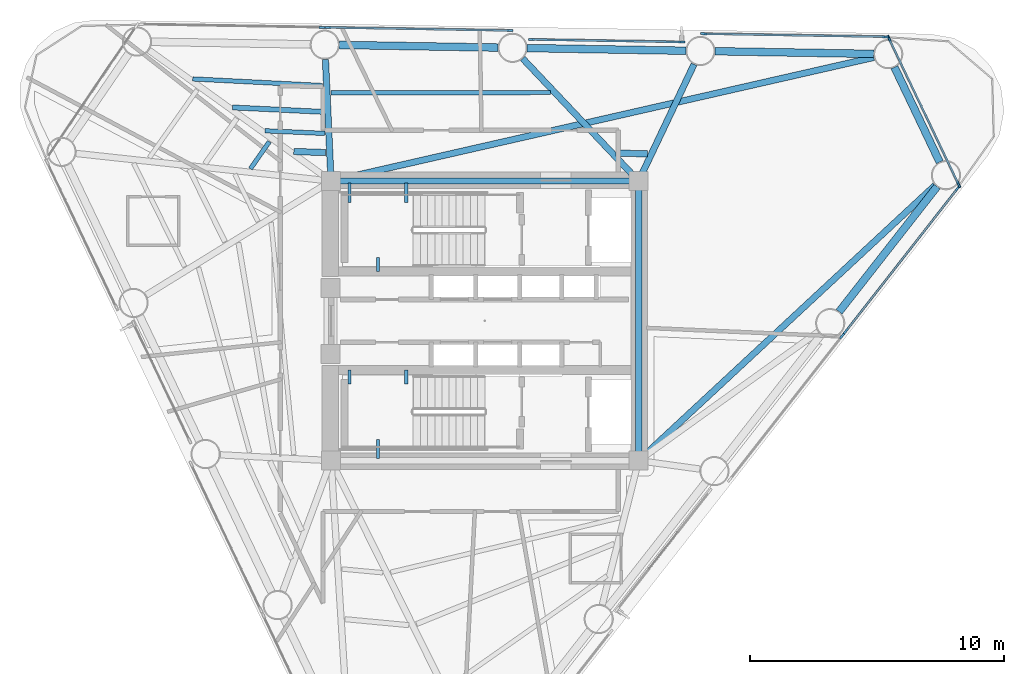
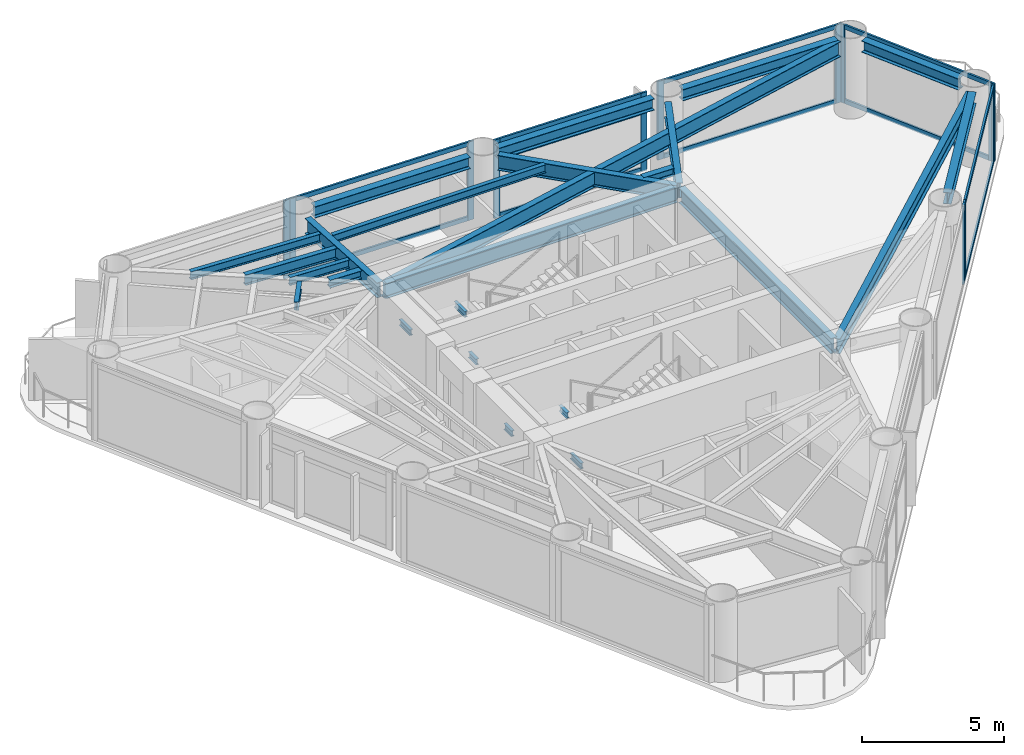
# One storey, part 3 of 10: 25 beams, 23 members, 7 elements without a shape of their own.
"""IFC4 building model written with IfcOpenShell, lengths in metres."""

from ifc_helpers import new_model, si_unit, direction, frame, origin, origin_2d, place, context, subcontext, project, spatial, rectangle, i_section, extrude, source, transform, mapped, material, layer, layer_set, material_profile, profile_set, type_object, element, aggregate, save


model = new_model("IFC4")

# Units and contexts
model_context = context("Model", 3, precision=1e-05, world=origin(), true_north=direction((0.0, 1.0)))
body_context = subcontext(model_context, "Body", "Model", "MODEL_VIEW")
ifc_project = project(units=[si_unit("LENGTHUNIT", "METRE"), si_unit("AREAUNIT", "SQUARE_METRE"), si_unit("VOLUMEUNIT", "CUBIC_METRE"), si_unit("PLANEANGLEUNIT", "RADIAN"), si_unit("MASSUNIT", "GRAM", prefix="KILO")], contexts=[model_context])

# Site, building, storey
site_placement = place(None, origin())
site = spatial("IfcSite", under=ifc_project, at=site_placement, CompositionType="ELEMENT")
building_placement = place(site_placement, origin())
building = spatial("IfcBuilding", under=site, at=building_placement, Name="Yunling Apex Tower", CompositionType="ELEMENT")
storey_placement = place(building_placement, frame((0.0, 0.0, 191.449951171875)))
storey = spatial("IfcBuildingStorey", under=building, at=storey_placement, Name="L46", CompositionType="ELEMENT", Elevation=191.449951171875)

# Beams
ifc_material_1 = material(Name="Steel Q355B", Category="steel")
ifc_material_profile_1 = material_profile(ifc_material_1, i_section(OverallWidth=0.125, OverallDepth=0.25, WebThickness=0.006103515625, FlangeThickness=0.009033203125, FilletRadius=0.011962890625, at=origin_2d()))
ifc_profile_set_1 = profile_set([ifc_material_profile_1], Name="Steel Q355B")
beam_type_1 = type_object("IfcBeamType", Name="BL-LNT-1", PredefinedType="LINTEL", material=ifc_profile_set_1)
shared_shape_1 = source(origin(), body_context, "Body", "SweptSolid", [
    extrude(i_section(OverallWidth=0.125, OverallDepth=0.25, WebThickness=0.006103515625, FlangeThickness=0.009033203125, FilletRadius=0.011962890625, at=origin_2d()), origin(), (0.0, 0.0, 1.0), 0.760009765625),
])
for number, where, z_axis, x_axis, name in (
    (1, (-5.320068359375, 5.419921875, 1.405029296875), (0.0, -1.0, 0.0), (1.0, 0.0, 0.0), "L46 ST-1 Landing Bearing Corbel 1-1"),
    (2, (-3.090087890625, 5.419921875, 1.405029296875), (0.0, -1.0, 0.0), (1.0, 0.0, 0.0), "L46 ST-1 Landing Bearing Corbel 1-2"),
    (3, (-4.205078125, -5.419921875, 1.405029296875), (0.0, 1.0, 0.0), (-1.0, 0.0, 0.0), "L46 ST-2 Landing Bearing Corbel 1-3"),
):
    element("IfcBeam", number, at=place(storey_placement, frame(where, z_axis=z_axis, x_axis=x_axis)), inside=storey, type_object=beam_type_1, Name=name, PredefinedType="LINTEL", context=body_context, shape_type="MappedRepresentation", body=[
        mapped(shared_shape_1, transform((0.0, 0.0, 0.0), scale=1.0)),
    ])
shared_shape_2 = source(origin(), body_context, "Body", "SweptSolid", [
    extrude(i_section(OverallWidth=0.125, OverallDepth=0.25, WebThickness=0.006103515625, FlangeThickness=0.009033203125, FilletRadius=0.011962890625, at=origin_2d()), origin(), (0.0, 0.0, 1.0), 0.550048828125),
])
for number, where, z_axis, x_axis, name in (
    (4, (-4.205078125, 1.93994140625, 1.405029296875), (0.0, 1.0, 0.0), (-1.0, 0.0, 0.0), "L46 ST-1 Landing Bearing Corbel 1-3"),
    (5, (-5.320068359375, -1.93994140625, 1.405029296875), (0.0, -1.0, 0.0), (1.0, 0.0, 0.0), "L46 ST-2 Landing Bearing Corbel 1-1"),
    (6, (-3.090087890625, -1.93994140625, 1.405029296875), (0.0, -1.0, 0.0), (1.0, 0.0, 0.0), "L46 ST-2 Landing Bearing Corbel 1-2"),
):
    element("IfcBeam", number, at=place(storey_placement, frame(where, z_axis=z_axis, x_axis=x_axis)), inside=storey, type_object=beam_type_1, Name=name, PredefinedType="LINTEL", context=body_context, shape_type="MappedRepresentation", body=[
        mapped(shared_shape_2, transform((0.0, 0.0, 0.0), scale=1.0)),
    ])
ifc_material_profile_2 = material_profile(ifc_material_1, i_section(OverallWidth=0.25, OverallDepth=0.64990234375, WebThickness=0.011962890625, FlangeThickness=0.02001953125, FilletRadius=0.02392578125, at=origin_2d()))
ifc_profile_set_2 = profile_set([ifc_material_profile_2], Name="Steel Q355B")
beam_type_2 = type_object("IfcBeamType", Name="BG-PRI-4", PredefinedType="USERDEFINED", material=ifc_profile_set_2)
shared_shape_3 = source(origin(), body_context, "Body", "SweptSolid", [
    extrude(i_section(OverallWidth=0.25, OverallDepth=0.64990234375, WebThickness=0.011962890625, FlangeThickness=0.02001953125, FilletRadius=0.02392578125, at=origin_2d()), origin(), (0.0, 0.0, 1.0), 11.7998046875),
])
beam_1_placement = place(storey_placement, frame((5.89990234375, 5.5, 2.945068359375), z_axis=(-1.0, 0.0, 0.0), x_axis=(0.0, -1.0, 0.0)))
element("IfcBeam", 7, at=beam_1_placement, inside=storey, type_object=beam_type_2, Name="L46 Core Ring Tie Beam 3", ObjectType="GIRDER", PredefinedType="USERDEFINED", context=body_context, shape_type="MappedRepresentation", body=[
    mapped(shared_shape_3, transform((0.0, 0.0, 0.0), scale=1.0)),
])
shared_shape_4 = source(origin(), body_context, "Body", "SweptSolid", [
    extrude(i_section(OverallWidth=0.25, OverallDepth=0.64990234375, WebThickness=0.011962890625, FlangeThickness=0.02001953125, FilletRadius=0.02392578125, at=origin_2d()), origin(), (0.0, 0.0, 1.0), 10.7001953125),
])
beam_2_placement = place(storey_placement, frame((6.050048828125, -5.35009765625, 2.945068359375), z_axis=(0.0, 1.0, 0.0), x_axis=(-1.0, 0.0, 0.0)))
element("IfcBeam", 8, at=beam_2_placement, inside=storey, type_object=beam_type_2, Name="L46 Core Ring Tie Beam 2", ObjectType="GIRDER", PredefinedType="USERDEFINED", context=body_context, shape_type="MappedRepresentation", body=[
    mapped(shared_shape_4, transform((0.0, 0.0, 0.0), scale=1.0)),
])
ifc_material_profile_3 = material_profile(ifc_material_1, i_section(OverallWidth=0.300048828125, OverallDepth=0.489990234375, WebThickness=0.010986328125, FlangeThickness=0.01806640625, FilletRadius=0.02197265625, at=origin_2d()))
ifc_profile_set_3 = profile_set([ifc_material_profile_3], Name="Steel Q355B")
beam_type_3 = type_object("IfcBeamType", Name="BP-SPN-2", PredefinedType="SPANDREL", material=ifc_profile_set_3)
shared_shape_5 = source(origin(), body_context, "Body", "SweptSolid", [
    extrude(i_section(OverallWidth=0.300048828125, OverallDepth=0.489990234375, WebThickness=0.010986328125, FlangeThickness=0.01806640625, FilletRadius=0.02197265625, at=origin_2d()), origin(), (0.0, 0.0, 1.0), 6.252685546875),
])
beam_3_placement = place(storey_placement, frame((13.940185546875, 0.35791015625, 3.025146484375), z_axis=(0.616211399259, 0.787580796759, 0.0), x_axis=(-0.787580796759, 0.616211399259, 0.0)))
element("IfcBeam", 9, at=beam_3_placement, inside=storey, type_object=beam_type_3, Name="L46 Perimeter Spandrel Beam 4", PredefinedType="SPANDREL", context=body_context, shape_type="MappedRepresentation", body=[
    mapped(shared_shape_5, transform((0.0, 0.0, 0.0), scale=1.0)),
])
shared_shape_6 = source(origin(), body_context, "Body", "SweptSolid", [
    extrude(i_section(OverallWidth=0.300048828125, OverallDepth=0.489990234375, WebThickness=0.010986328125, FlangeThickness=0.01806640625, FilletRadius=0.02197265625, at=origin_2d()), origin(), (0.0, 0.0, 1.0), 6.253173828125),
])
for number, where, z_axis, x_axis, name in (
    (10, (15.302978515625, 10.50341796875, 3.025146484375), (-0.999859061432, 0.016788605428, 0.0), (-0.016788605428, -0.999859061432, 0.0), "L46 Perimeter Spandrel Beam 6"),
    (11, (7.9130859375, 10.627197265625, 3.025146484375), (-0.999859061432, 0.016788605428, 0.0), (-0.016788605428, -0.999859061432, 0.0), "L46 Perimeter Spandrel Beam 7"),
    (12, (0.523193359375, 10.751220703125, 3.025146484375), (-0.99985971606, 0.016749573126, 0.0), (-0.016749573126, -0.99985971606, 0.0), "L46 Perimeter Spandrel Beam 8"),
):
    element("IfcBeam", number, at=place(storey_placement, frame(where, z_axis=z_axis, x_axis=x_axis)), inside=storey, type_object=beam_type_3, Name=name, PredefinedType="SPANDREL", context=body_context, shape_type="MappedRepresentation", body=[
        mapped(shared_shape_6, transform((0.0, 0.0, 0.0), scale=1.0)),
    ])
shared_shape_7 = source(origin(), body_context, "Body", "SweptSolid", [
    extrude(i_section(OverallWidth=0.300048828125, OverallDepth=0.489990234375, WebThickness=0.010986328125, FlangeThickness=0.01806640625, FilletRadius=0.02197265625, at=origin_2d()), origin(), (0.0, 0.0, 1.0), 4.139404296875),
])
beam_4_placement = place(storey_placement, frame((17.898681640625, 6.244140625, 3.025146484375), z_axis=(-0.430503573335, 0.902588872824, 0.0), x_axis=(-0.902588872824, -0.430503573335, 0.0)))
element("IfcBeam", 13, at=beam_4_placement, inside=storey, type_object=beam_type_3, Name="L46 Perimeter Spandrel Beam 5", PredefinedType="SPANDREL", context=body_context, shape_type="MappedRepresentation", body=[
    mapped(shared_shape_7, transform((0.0, 0.0, 0.0), scale=1.0)),
])
shared_shape_8 = source(origin(), body_context, "Body", "SweptSolid", [
    extrude(i_section(OverallWidth=0.25, OverallDepth=0.64990234375, WebThickness=0.011962890625, FlangeThickness=0.02001953125, FilletRadius=0.02392578125, at=origin_2d()), origin(), (0.0, 0.0, 1.0), 15.841064453125),
])
beam_5_placement = place(storey_placement, frame((17.716552734375, 5.333984375, 2.945068359375), z_axis=(-0.732769338977, -0.680477108986, 0.0), x_axis=(0.680477108986, -0.732769338977, 0.0)))
element("IfcBeam", 14, at=beam_5_placement, inside=storey, type_object=beam_type_2, Name="L46 Radial Primary Girder R05", ObjectType="GIRDER", PredefinedType="USERDEFINED", context=body_context, shape_type="MappedRepresentation", body=[
    mapped(shared_shape_8, transform((0.0, 0.0, 0.0), scale=1.0)),
])
shared_shape_9 = source(origin(), body_context, "Body", "SweptSolid", [
    extrude(i_section(OverallWidth=0.25, OverallDepth=0.64990234375, WebThickness=0.011962890625, FlangeThickness=0.02001953125, FilletRadius=0.02392578125, at=origin_2d()), origin(), (0.0, 0.0, 1.0), 21.820556640625),
])
beam_6_placement = place(storey_placement, frame((15.303466796875, 10.364501953125, 2.945068359375), z_axis=(-0.975020184512, -0.222116275394, 0.0), x_axis=(0.222116275394, -0.975020184512, 0.0)))
element("IfcBeam", 15, at=beam_6_placement, inside=storey, type_object=beam_type_2, Name="L46 Radial Primary Girder R06", ObjectType="GIRDER", PredefinedType="USERDEFINED", context=body_context, shape_type="MappedRepresentation", body=[
    mapped(shared_shape_9, transform((0.0, 0.0, 0.0), scale=1.0)),
])
shared_shape_10 = source(origin(), body_context, "Body", "SweptSolid", [
    extrude(i_section(OverallWidth=0.25, OverallDepth=0.64990234375, WebThickness=0.011962890625, FlangeThickness=0.02001953125, FilletRadius=0.02392578125, at=origin_2d()), origin(), (0.0, 0.0, 1.0), 5.00341796875),
])
beam_7_placement = place(storey_placement, frame((8.231689453125, 10.09130859375, 2.945068359375), z_axis=(-0.429206106824, -0.903206575411, 0.0), x_axis=(0.903206575411, -0.429206106824, 0.0)))
element("IfcBeam", 16, at=beam_7_placement, inside=storey, type_object=beam_type_2, Name="L46 Radial Primary Girder R07", ObjectType="GIRDER", PredefinedType="USERDEFINED", context=body_context, shape_type="MappedRepresentation", body=[
    mapped(shared_shape_10, transform((0.0, 0.0, 0.0), scale=1.0)),
])
shared_shape_11 = source(origin(), body_context, "Body", "SweptSolid", [
    extrude(i_section(OverallWidth=0.25, OverallDepth=0.64990234375, WebThickness=0.011962890625, FlangeThickness=0.02001953125, FilletRadius=0.02392578125, at=origin_2d()), origin(), (0.0, 0.0, 1.0), 6.552001953125),
])
beam_8_placement = place(storey_placement, frame((1.49267578125, 10.318115234375, 2.945068359375), z_axis=(0.687178062581, -0.726489029723, 0.0), x_axis=(0.726489029723, 0.687178062581, 0.0)))
element("IfcBeam", 17, at=beam_8_placement, inside=storey, type_object=beam_type_2, Name="L46 Radial Primary Girder R08", ObjectType="GIRDER", PredefinedType="USERDEFINED", context=body_context, shape_type="MappedRepresentation", body=[
    mapped(shared_shape_11, transform((0.0, 0.0, 0.0), scale=1.0)),
])
shared_shape_12 = source(origin(), body_context, "Body", "SweptSolid", [
    extrude(i_section(OverallWidth=0.25, OverallDepth=0.64990234375, WebThickness=0.011962890625, FlangeThickness=0.02001953125, FilletRadius=0.02392578125, at=origin_2d()), origin(), (0.0, 0.0, 1.0), 4.70849609375),
])
beam_9_placement = place(storey_placement, frame((-6.27099609375, 10.283203125, 2.945068359375), z_axis=(0.046148548326, -0.998934588193, 0.0), x_axis=(0.998934588193, 0.046148548326, 0.0)))
element("IfcBeam", 18, at=beam_9_placement, inside=storey, type_object=beam_type_2, Name="L46 Radial Primary Girder R09", ObjectType="GIRDER", PredefinedType="USERDEFINED", context=body_context, shape_type="MappedRepresentation", body=[
    mapped(shared_shape_12, transform((0.0, 0.0, 0.0), scale=1.0)),
])
ifc_material_profile_4 = material_profile(ifc_material_1, i_section(OverallWidth=0.25, OverallDepth=0.340087890625, WebThickness=0.009033203125, FlangeThickness=0.013916015625, FilletRadius=0.01806640625, at=origin_2d()))
ifc_profile_set_4 = profile_set([ifc_material_profile_4], Name="Steel Q355B")
beam_type_4 = type_object("IfcBeamType", Name="BJ-JST-2", PredefinedType="JOIST", material=ifc_profile_set_4)
shared_shape_13 = source(origin(), body_context, "Body", "SweptSolid", [
    extrude(i_section(OverallWidth=0.25, OverallDepth=0.340087890625, WebThickness=0.009033203125, FlangeThickness=0.013916015625, FilletRadius=0.01806640625, at=origin_2d()), origin(), (0.0, 0.0, 1.0), 1.23291015625),
])
beam_10_placement = place(storey_placement, frame((6.396728515625, 6.570556640625, 3.10009765625), z_axis=(-0.999688635189, 0.024952608565, 0.0), x_axis=(-0.024952608565, -0.999688635189, 0.0)))
element("IfcBeam", 19, at=beam_10_placement, inside=storey, type_object=beam_type_4, Name="L46 Composite Floor Joist BJ2-7", PredefinedType="JOIST", context=body_context, shape_type="MappedRepresentation", body=[
    mapped(shared_shape_13, transform((0.0, 0.0, 0.0), scale=1.0)),
])
ifc_material_profile_5 = material_profile(ifc_material_1, i_section(OverallWidth=0.175048828125, OverallDepth=0.35009765625, WebThickness=0.007080078125, FlangeThickness=0.010986328125, FilletRadius=0.013916015625, at=origin_2d()))
ifc_profile_set_5 = profile_set([ifc_material_profile_5], Name="Steel Q355B")
beam_type_5 = type_object("IfcBeamType", Name="BJ-JST-1", PredefinedType="JOIST", material=ifc_profile_set_5)
shared_shape_14 = source(origin(), body_context, "Body", "SweptSolid", [
    extrude(i_section(OverallWidth=0.175048828125, OverallDepth=0.35009765625, WebThickness=0.007080078125, FlangeThickness=0.010986328125, FilletRadius=0.013916015625, at=origin_2d()), origin(), (0.0, 0.0, 1.0), 8.643310546875),
])
beam_11_placement = place(storey_placement, frame((2.59326171875, 8.985107421875, 3.094970703125), z_axis=(-0.999997695824, -0.002146705784, 0.0), x_axis=(0.002146705784, -0.999997695824, 0.0)))
element("IfcBeam", 20, at=beam_11_placement, inside=storey, type_object=beam_type_5, Name="L46 Composite Floor Joist BJ1-8", PredefinedType="JOIST", context=body_context, shape_type="MappedRepresentation", body=[
    mapped(shared_shape_14, transform((0.0, 0.0, 0.0), scale=1.0)),
])
ifc_material_profile_6 = material_profile(ifc_material_1, i_section(OverallWidth=0.199951171875, OverallDepth=0.449951171875, WebThickness=0.009033203125, FlangeThickness=0.013916015625, FilletRadius=0.01806640625, at=origin_2d()))
ifc_profile_set_6 = profile_set([ifc_material_profile_6], Name="Steel Q355B")
beam_type_6 = type_object("IfcBeamType", Name="BS-SEC-3", PredefinedType="BEAM", material=ifc_profile_set_6)
shared_shape_15 = source(origin(), body_context, "Body", "SweptSolid", [
    extrude(i_section(OverallWidth=0.199951171875, OverallDepth=0.449951171875, WebThickness=0.009033203125, FlangeThickness=0.013916015625, FilletRadius=0.01806640625, at=origin_2d()), origin(), (0.0, 0.0, 1.0), 3.599853515625),
])
beam_12_placement = place(storey_placement, frame((-6.335205078125, 8.221435546875, 3.045166015625), z_axis=(-0.998820387083, 0.048557536471, 0.0), x_axis=(-0.048557536471, -0.998820387083, 0.0)))
element("IfcBeam", 21, at=beam_12_placement, inside=storey, type_object=beam_type_6, Name="L46 Composite Floor Beam BS-9", PredefinedType="BEAM", context=body_context, shape_type="MappedRepresentation", body=[
    mapped(shared_shape_15, transform((0.0, 0.0, 0.0), scale=1.0)),
])
shared_shape_16 = source(origin(), body_context, "Body", "SweptSolid", [
    extrude(i_section(OverallWidth=0.175048828125, OverallDepth=0.35009765625, WebThickness=0.007080078125, FlangeThickness=0.010986328125, FilletRadius=0.013916015625, at=origin_2d()), origin(), (0.0, 0.0, 1.0), 5.116455078125),
])
beam_13_placement = place(storey_placement, frame((-6.3828125, 9.256591796875, 3.094970703125), z_axis=(-0.998690915519, 0.051151297728, 0.0), x_axis=(-0.051151297728, -0.998690915519, 0.0)))
element("IfcBeam", 22, at=beam_13_placement, inside=storey, type_object=beam_type_5, Name="L46 Composite Floor Joist BJ1-9", PredefinedType="JOIST", context=body_context, shape_type="MappedRepresentation", body=[
    mapped(shared_shape_16, transform((0.0, 0.0, 0.0), scale=1.0)),
])
shared_shape_17 = source(origin(), body_context, "Body", "SweptSolid", [
    extrude(i_section(OverallWidth=0.175048828125, OverallDepth=0.35009765625, WebThickness=0.007080078125, FlangeThickness=0.010986328125, FilletRadius=0.013916015625, at=origin_2d()), origin(), (0.0, 0.0, 1.0), 2.35888671875),
])
beam_14_placement = place(storey_placement, frame((-6.296142578125, 7.374267578125, 3.094970703125), z_axis=(-0.999023067934, 0.044191738321, 0.0), x_axis=(-0.044191738321, -0.999023067934, 0.0)))
element("IfcBeam", 23, at=beam_14_placement, inside=storey, type_object=beam_type_5, Name="L46 Composite Floor Joist BJ3-9", PredefinedType="JOIST", context=body_context, shape_type="MappedRepresentation", body=[
    mapped(shared_shape_17, transform((0.0, 0.0, 0.0), scale=1.0)),
])
shared_shape_18 = source(origin(), body_context, "Body", "SweptSolid", [
    extrude(i_section(OverallWidth=0.25, OverallDepth=0.340087890625, WebThickness=0.009033203125, FlangeThickness=0.013916015625, FilletRadius=0.01806640625, at=origin_2d()), origin(), (0.0, 0.0, 1.0), 1.256103515625),
])
beam_15_placement = place(storey_placement, frame((-6.261474609375, 6.6201171875, 3.10009765625), z_axis=(-0.999394634841, 0.034790283866, 0.0), x_axis=(-0.034790283866, -0.999394634841, 0.0)))
element("IfcBeam", 24, at=beam_15_placement, inside=storey, type_object=beam_type_4, Name="L46 Composite Floor Joist BJ2-9", PredefinedType="JOIST", context=body_context, shape_type="MappedRepresentation", body=[
    mapped(shared_shape_18, transform((0.0, 0.0, 0.0), scale=1.0)),
])
shared_shape_19 = source(origin(), body_context, "Body", "SweptSolid", [
    extrude(i_section(OverallWidth=0.175048828125, OverallDepth=0.35009765625, WebThickness=0.007080078125, FlangeThickness=0.010986328125, FilletRadius=0.013916015625, at=origin_2d()), origin(), (0.0, 0.0, 1.0), 1.29736328125),
])
beam_16_placement = place(storey_placement, frame((-8.478515625, 7.04833984375, 3.094970703125), z_axis=(-0.572590644925, -0.819841419632, 0.0), x_axis=(0.819841419632, -0.572590644925, 0.0)))
element("IfcBeam", 25, at=beam_16_placement, inside=storey, type_object=beam_type_5, Name="L46 Composite Floor Joist BJ3-10", PredefinedType="JOIST", context=body_context, shape_type="MappedRepresentation", body=[
    mapped(shared_shape_19, transform((0.0, 0.0, 0.0), scale=1.0)),
])

# Curtain wall, member
ifc_material_2 = material(Name="Bronze anodised aluminium", Category="aluminium")
ifc_layer = layer(ifc_material_2, 0.239990234375)
ifc_layer_set = layer_set([ifc_layer], Name="Bronze anodised aluminium")
curtain_wall_type = type_object("IfcCurtainWallType", Name="CW-SYS-3", PredefinedType="NOTDEFINED", material=ifc_layer_set)
curtain_wall_1_placement = place(storey_placement, origin())
curtain_wall_1 = element("IfcCurtainWall", 26, at=curtain_wall_1_placement, inside=storey, type_object=curtain_wall_type, Name="CW-L46-F1-B3", PredefinedType="NOTDEFINED")
ifc_material_profile_7 = material_profile(ifc_material_2, rectangle(XDim=0.080078125, YDim=0.239990234375, at=origin_2d()))
ifc_profile_set_7 = profile_set([ifc_material_profile_7], Name="Bronze anodised aluminium")
member_type_1 = type_object("IfcMemberType", Name="CW-MUL-3", PredefinedType="MULLION", material=ifc_profile_set_7)
shared_shape_20 = source(origin(), body_context, "Body", "SweptSolid", [
    extrude(rectangle(XDim=0.080078125, YDim=0.239990234375, at=origin_2d()), origin(), (0.0, 0.0, 1.0), 3.3701171875),
])
member_1_placement = place(storey_placement, frame((14.051025390625, -0.603759765625, -0.050048828125), z_axis=(0.0, 0.0, 1.0), x_axis=(-0.787589332433, 0.616200489644, 0.0)))
member_1 = element("IfcMember", 27, at=member_1_placement, type_object=member_type_1, Name="CW-SYS-3 mullion 2", PredefinedType="MULLION", context=body_context, shape_type="MappedRepresentation", body=[
    mapped(shared_shape_20, transform((0.0, 0.0, 0.0), scale=1.0)),
])
aggregate(curtain_wall_1, [member_1])

# Curtain wall, members
curtain_wall_2_placement = place(storey_placement, origin())
curtain_wall_2 = element("IfcCurtainWall", 28, at=curtain_wall_2_placement, inside=storey, type_object=curtain_wall_type, Name="CW-L46-F1-B4", PredefinedType="NOTDEFINED")
member_2_placement = place(storey_placement, frame((14.198974609375, -0.414794921875, -0.050048828125), z_axis=(0.0, 0.0, 1.0), x_axis=(-0.787589332433, 0.616200489644, 0.0)))
member_2 = element("IfcMember", 29, at=member_2_placement, type_object=member_type_1, Name="CW-SYS-3 mullion 1", PredefinedType="MULLION", context=body_context, shape_type="MappedRepresentation", body=[
    mapped(shared_shape_20, transform((0.0, 0.0, 0.0), scale=1.0)),
])
member_3_placement = place(storey_placement, frame((18.60546875, 5.21728515625, -0.050048828125), z_axis=(0.0, 0.0, 1.0), x_axis=(-0.787589332433, 0.616200489644, 0.0)))
member_3 = element("IfcMember", 30, at=member_3_placement, type_object=member_type_1, Name="CW-SYS-3 mullion 2", PredefinedType="MULLION", context=body_context, shape_type="MappedRepresentation", body=[
    mapped(shared_shape_20, transform((0.0, 0.0, 0.0), scale=1.0)),
])

curtain_wall_3_placement = place(storey_placement, origin())
curtain_wall_3 = element("IfcCurtainWall", 31, at=curtain_wall_3_placement, inside=storey, type_object=curtain_wall_type, Name="CW-L46-CRN1", PredefinedType="NOTDEFINED")
member_4_placement = place(storey_placement, frame((18.646484375, 5.360107421875, -0.050048828125), z_axis=(0.0, 0.0, 1.0), x_axis=(-0.902577581426, -0.430527245951, 0.0)))
member_4 = element("IfcMember", 32, at=member_4_placement, type_object=member_type_1, Name="CW-SYS-3 mullion 1", PredefinedType="MULLION", context=body_context, shape_type="MappedRepresentation", body=[
    mapped(shared_shape_20, transform((0.0, 0.0, 0.0), scale=1.0)),
])
member_5_placement = place(storey_placement, frame((15.89990234375, 11.11767578125, -0.050048828125), z_axis=(0.0, 0.0, 1.0), x_axis=(-0.902577581426, -0.430527245951, 0.0)))
member_5 = element("IfcMember", 33, at=member_5_placement, type_object=member_type_1, Name="CW-SYS-3 mullion 2", PredefinedType="MULLION", context=body_context, shape_type="MappedRepresentation", body=[
    mapped(shared_shape_20, transform((0.0, 0.0, 0.0), scale=1.0)),
])

curtain_wall_4_placement = place(storey_placement, origin())
curtain_wall_4 = element("IfcCurtainWall", 34, at=curtain_wall_4_placement, inside=storey, type_object=curtain_wall_type, Name="CW-L46-F2-B1", PredefinedType="NOTDEFINED")
member_6_placement = place(storey_placement, frame((15.76318359375, 11.17578125, -0.050048828125), z_axis=(0.0, 0.0, 1.0), x_axis=(-0.016761362354, -0.999859518498, 0.0)))
member_6 = element("IfcMember", 35, at=member_6_placement, type_object=member_type_1, Name="CW-SYS-3 mullion 1", PredefinedType="MULLION", context=body_context, shape_type="MappedRepresentation", body=[
    mapped(shared_shape_20, transform((0.0, 0.0, 0.0), scale=1.0)),
])
member_7_placement = place(storey_placement, frame((8.61328125, 11.295654296875, -0.050048828125), z_axis=(0.0, 0.0, 1.0), x_axis=(-0.016761362354, -0.999859518498, 0.0)))
member_7 = element("IfcMember", 36, at=member_7_placement, type_object=member_type_1, Name="CW-SYS-3 mullion 2", PredefinedType="MULLION", context=body_context, shape_type="MappedRepresentation", body=[
    mapped(shared_shape_20, transform((0.0, 0.0, 0.0), scale=1.0)),
])

curtain_wall_5_placement = place(storey_placement, origin())
curtain_wall_5 = element("IfcCurtainWall", 37, at=curtain_wall_5_placement, inside=storey, type_object=curtain_wall_type, Name="CW-L46-F2-B2", PredefinedType="NOTDEFINED")
member_8_placement = place(storey_placement, frame((7.747802734375, 10.97021484375, -0.050048828125), z_axis=(0.0, 0.0, 1.0), x_axis=(-0.016758635119, -0.999859564213, 0.0)))
member_8 = element("IfcMember", 38, at=member_8_placement, type_object=member_type_1, Name="CW-SYS-3 mullion 1", PredefinedType="MULLION", context=body_context, shape_type="MappedRepresentation", body=[
    mapped(shared_shape_20, transform((0.0, 0.0, 0.0), scale=1.0)),
])
member_9_placement = place(storey_placement, frame((1.837646484375, 11.0693359375, -0.050048828125), z_axis=(0.0, 0.0, 1.0), x_axis=(-0.016758635119, -0.999859564213, 0.0)))
member_9 = element("IfcMember", 39, at=member_9_placement, type_object=member_type_1, Name="CW-SYS-3 mullion 2", PredefinedType="MULLION", context=body_context, shape_type="MappedRepresentation", body=[
    mapped(shared_shape_20, transform((0.0, 0.0, 0.0), scale=1.0)),
])

curtain_wall_6_placement = place(storey_placement, origin())
curtain_wall_6 = element("IfcCurtainWall", 40, at=curtain_wall_6_placement, inside=storey, type_object=curtain_wall_type, Name="CW-L46-F2-B3", PredefinedType="NOTDEFINED")
member_10_placement = place(storey_placement, frame((0.9833984375, 11.423583984375, -0.050048828125), z_axis=(0.0, 0.0, 1.0), x_axis=(-0.016747305141, -0.999859754051, 0.0)))
member_10 = element("IfcMember", 41, at=member_10_placement, type_object=member_type_1, Name="CW-SYS-3 mullion 1", PredefinedType="MULLION", context=body_context, shape_type="MappedRepresentation", body=[
    mapped(shared_shape_20, transform((0.0, 0.0, 0.0), scale=1.0)),
])
member_11_placement = place(storey_placement, frame((-6.16650390625, 11.54345703125, -0.050048828125), z_axis=(0.0, 0.0, 1.0), x_axis=(-0.016747305141, -0.999859754051, 0.0)))
member_11 = element("IfcMember", 42, at=member_11_placement, type_object=member_type_1, Name="CW-SYS-3 mullion 2", PredefinedType="MULLION", context=body_context, shape_type="MappedRepresentation", body=[
    mapped(shared_shape_20, transform((0.0, 0.0, 0.0), scale=1.0)),
])

# Curtain wall, member
curtain_wall_7_placement = place(storey_placement, origin())
curtain_wall_7 = element("IfcCurtainWall", 43, at=curtain_wall_7_placement, inside=storey, type_object=curtain_wall_type, Name="CW-L46-F2-B4", PredefinedType="NOTDEFINED")
member_12_placement = place(storey_placement, frame((-6.406494140625, 11.54736328125, -0.050048828125), z_axis=(0.0, 0.0, 1.0), x_axis=(-0.016761362354, -0.999859518498, 0.0)))
member_12 = element("IfcMember", 44, at=member_12_placement, type_object=member_type_1, Name="CW-SYS-3 mullion 1", PredefinedType="MULLION", context=body_context, shape_type="MappedRepresentation", body=[
    mapped(shared_shape_20, transform((0.0, 0.0, 0.0), scale=1.0)),
])
aggregate(curtain_wall_7, [member_12])

# Member
ifc_material_profile_8 = material_profile(ifc_material_2, rectangle(XDim=0.080078125, YDim=0.18505859375, at=origin_2d()))
ifc_profile_set_8 = profile_set([ifc_material_profile_8], Name="Bronze anodised aluminium")
member_type_2 = type_object("IfcMemberType", Name="CW-TRN-3", PredefinedType="USERDEFINED", material=ifc_profile_set_8)
shared_shape_21 = source(origin(), body_context, "Body", "SweptSolid", [
    extrude(rectangle(XDim=0.080078125, YDim=0.18505859375, at=origin_2d()), origin(), (0.0, 0.0, 1.0), 5.8388671875),
])
member_13_placement = place(storey_placement, frame((7.7119140625, 10.970703125, 0.0400390625), z_axis=(-0.99985942793, 0.016766764128, 0.0), x_axis=(-0.016766764128, -0.99985942793, 0.0)))
member_13 = element("IfcMember", 45, at=member_13_placement, type_object=member_type_2, Name="CW-SYS-3 transom 1.1", ObjectType="TRANSOM", PredefinedType="USERDEFINED", context=body_context, shape_type="MappedRepresentation", body=[
    mapped(shared_shape_21, transform((0.0, 0.0, 0.0), scale=1.0)),
])

member_14_placement = place(storey_placement, frame((7.7119140625, 10.970703125, 2.4853515625), z_axis=(-0.99985942793, 0.016766764128, 0.0), x_axis=(-0.016766764128, -0.99985942793, 0.0)))
member_14 = element("IfcMember", 46, at=member_14_placement, type_object=member_type_2, Name="CW-SYS-3 transom 1.2", ObjectType="TRANSOM", PredefinedType="USERDEFINED", context=body_context, shape_type="MappedRepresentation", body=[
    mapped(shared_shape_21, transform((0.0, 0.0, 0.0), scale=1.0)),
])

member_15_placement = place(storey_placement, frame((7.7119140625, 10.970703125, 3.22998046875), z_axis=(-0.99985942793, 0.016766764128, 0.0), x_axis=(-0.016766764128, -0.99985942793, 0.0)))
member_15 = element("IfcMember", 47, at=member_15_placement, type_object=member_type_2, Name="CW-SYS-3 transom 1.3", ObjectType="TRANSOM", PredefinedType="USERDEFINED", context=body_context, shape_type="MappedRepresentation", body=[
    mapped(shared_shape_21, transform((0.0, 0.0, 0.0), scale=1.0)),
])

aggregate(curtain_wall_5, [member_8, member_9, member_13, member_14, member_15])

shared_shape_22 = source(origin(), body_context, "Body", "SweptSolid", [
    extrude(rectangle(XDim=0.080078125, YDim=0.18505859375, at=origin_2d()), origin(), (0.0, 0.0, 1.0), 7.0791015625),
])
member_16_placement = place(storey_placement, frame((14.22119140625, -0.386474609375, 0.0400390625), z_axis=(0.616192015574, 0.78759596237, 0.0), x_axis=(-0.78759596237, 0.616192015574, 0.0)))
member_16 = element("IfcMember", 48, at=member_16_placement, type_object=member_type_2, Name="CW-SYS-3 transom 1.1", ObjectType="TRANSOM", PredefinedType="USERDEFINED", context=body_context, shape_type="MappedRepresentation", body=[
    mapped(shared_shape_22, transform((0.0, 0.0, 0.0), scale=1.0)),
])

member_17_placement = place(storey_placement, frame((14.22119140625, -0.386474609375, 3.22998046875), z_axis=(0.616192015574, 0.78759596237, 0.0), x_axis=(-0.78759596237, 0.616192015574, 0.0)))
member_17 = element("IfcMember", 49, at=member_17_placement, type_object=member_type_2, Name="CW-SYS-3 transom 1.2", ObjectType="TRANSOM", PredefinedType="USERDEFINED", context=body_context, shape_type="MappedRepresentation", body=[
    mapped(shared_shape_22, transform((0.0, 0.0, 0.0), scale=1.0)),
])

aggregate(curtain_wall_2, [member_2, member_3, member_16, member_17])

member_18_placement = place(storey_placement, frame((15.727294921875, 11.176513671875, 0.0400390625), z_axis=(-0.999859526413, 0.01676089024, 0.0), x_axis=(-0.01676089024, -0.999859526413, 0.0)))
member_18 = element("IfcMember", 50, at=member_18_placement, type_object=member_type_2, Name="CW-SYS-3 transom 1.1", ObjectType="TRANSOM", PredefinedType="USERDEFINED", context=body_context, shape_type="MappedRepresentation", body=[
    mapped(shared_shape_22, transform((0.0, 0.0, 0.0), scale=1.0)),
])

member_19_placement = place(storey_placement, frame((15.727294921875, 11.176513671875, 3.22998046875), z_axis=(-0.999859526413, 0.01676089024, 0.0), x_axis=(-0.01676089024, -0.999859526413, 0.0)))
member_19 = element("IfcMember", 51, at=member_19_placement, type_object=member_type_2, Name="CW-SYS-3 transom 1.2", ObjectType="TRANSOM", PredefinedType="USERDEFINED", context=body_context, shape_type="MappedRepresentation", body=[
    mapped(shared_shape_22, transform((0.0, 0.0, 0.0), scale=1.0)),
])

aggregate(curtain_wall_4, [member_6, member_7, member_18, member_19])

member_20_placement = place(storey_placement, frame((0.947509765625, 11.42431640625, 0.0400390625), z_axis=(-0.999860103777, 0.01672641247, 0.0), x_axis=(-0.01672641247, -0.999860103777, 0.0)))
member_20 = element("IfcMember", 52, at=member_20_placement, type_object=member_type_2, Name="CW-SYS-3 transom 1.1", ObjectType="TRANSOM", PredefinedType="USERDEFINED", context=body_context, shape_type="MappedRepresentation", body=[
    mapped(shared_shape_22, transform((0.0, 0.0, 0.0), scale=1.0)),
])

member_21_placement = place(storey_placement, frame((0.947509765625, 11.42431640625, 3.22998046875), z_axis=(-0.999860103777, 0.01672641247, 0.0), x_axis=(-0.01672641247, -0.999860103777, 0.0)))
member_21 = element("IfcMember", 53, at=member_21_placement, type_object=member_type_2, Name="CW-SYS-3 transom 1.2", ObjectType="TRANSOM", PredefinedType="USERDEFINED", context=body_context, shape_type="MappedRepresentation", body=[
    mapped(shared_shape_22, transform((0.0, 0.0, 0.0), scale=1.0)),
])

aggregate(curtain_wall_6, [member_10, member_11, member_20, member_21])

shared_shape_23 = source(origin(), body_context, "Body", "SweptSolid", [
    extrude(rectangle(XDim=0.080078125, YDim=0.18505859375, at=origin_2d()), origin(), (0.0, 0.0, 1.0), 6.30712890625),
])
member_22_placement = place(storey_placement, frame((18.630859375, 5.392578125, 0.0400390625), z_axis=(-0.430522496716, 0.902579846784, 0.0), x_axis=(-0.902579846784, -0.430522496716, 0.0)))
member_22 = element("IfcMember", 54, at=member_22_placement, type_object=member_type_2, Name="CW-SYS-3 transom 1.1", ObjectType="TRANSOM", PredefinedType="USERDEFINED", context=body_context, shape_type="MappedRepresentation", body=[
    mapped(shared_shape_23, transform((0.0, 0.0, 0.0), scale=1.0)),
])

member_23_placement = place(storey_placement, frame((18.630859375, 5.392578125, 3.22998046875), z_axis=(-0.430522496716, 0.902579846784, 0.0), x_axis=(-0.902579846784, -0.430522496716, 0.0)))
member_23 = element("IfcMember", 55, at=member_23_placement, type_object=member_type_2, Name="CW-SYS-3 transom 1.2", ObjectType="TRANSOM", PredefinedType="USERDEFINED", context=body_context, shape_type="MappedRepresentation", body=[
    mapped(shared_shape_23, transform((0.0, 0.0, 0.0), scale=1.0)),
])

aggregate(curtain_wall_3, [member_4, member_5, member_22, member_23])

save(model, "model.ifc")
